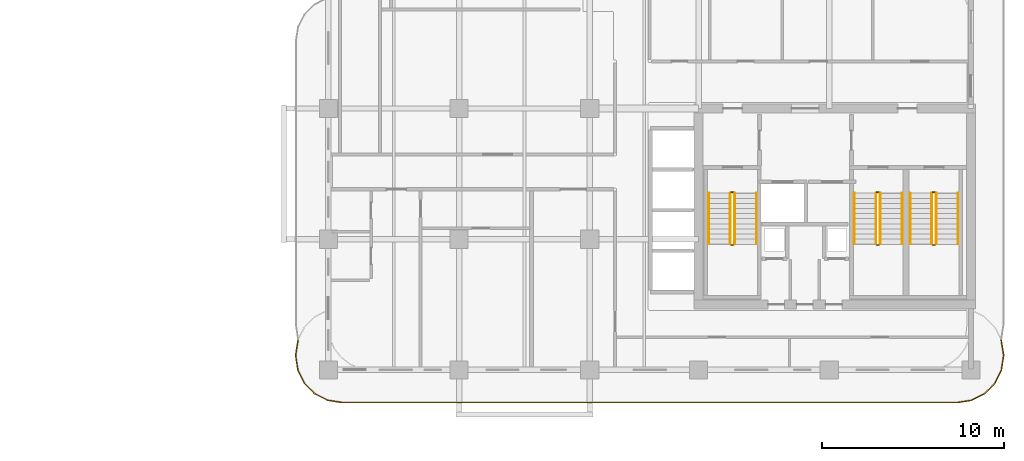
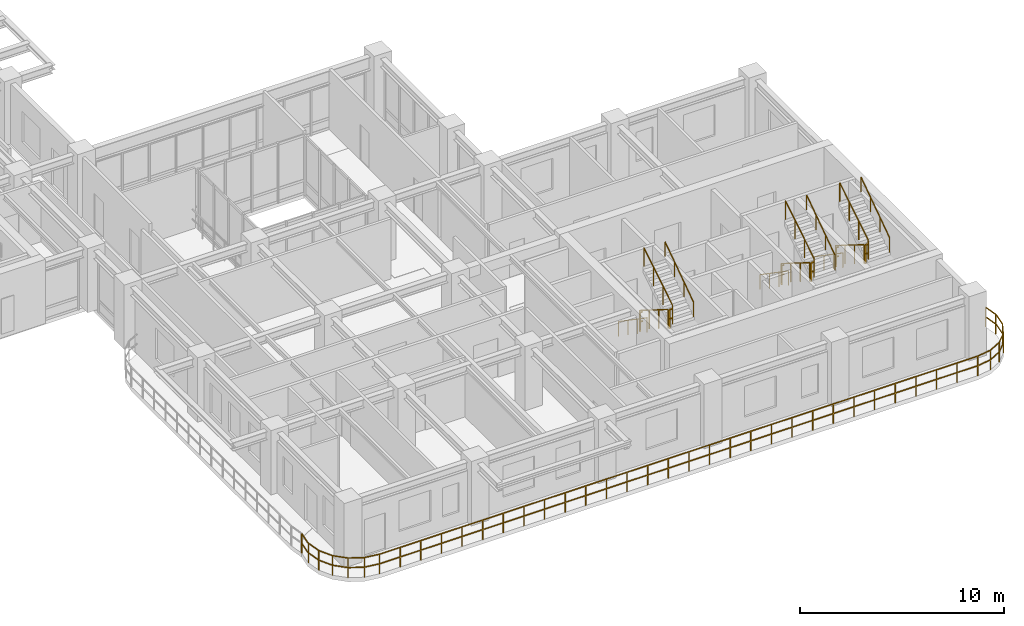
# One storey, part 17 of 19: 19 railings.
"""IFC4 building model written with IfcOpenShell, lengths in metres."""

from ifc_helpers import new_model, si_unit, derived_unit, direction, frame, origin, origin_2d, place, context, subcontext, project, spatial, rectangle, extrude, material, type_object, element, save


model = new_model("IFC4")

# Units and contexts
model_context = context("Model", 3, precision=1e-05, world=origin(), true_north=direction((0.0, 1.0)))
body_context = subcontext(model_context, "Body", "Model", "MODEL_VIEW")
ifc_project = project(units=[si_unit("LENGTHUNIT", "METRE"), si_unit("AREAUNIT", "SQUARE_METRE"), si_unit("VOLUMEUNIT", "CUBIC_METRE"), si_unit("PLANEANGLEUNIT", "RADIAN"), si_unit("MASSUNIT", "GRAM", prefix="KILO"), si_unit("THERMODYNAMICTEMPERATUREUNIT", "KELVIN"), si_unit("POWERUNIT", "WATT"), derived_unit("THERMALTRANSMITTANCEUNIT", [(si_unit("POWERUNIT", "WATT"), 1), (si_unit("AREAUNIT", "SQUARE_METRE"), -1), (si_unit("THERMODYNAMICTEMPERATUREUNIT", "KELVIN"), -1)])], contexts=[model_context])

# Site, building, storey
site_placement = place(None, origin())
site = spatial("IfcSite", under=ifc_project, at=site_placement, CompositionType="ELEMENT")
building_placement = place(site_placement, origin())
building = spatial("IfcBuilding", under=site, at=building_placement, Name="Zahravan Archway Hotel and Residences", CompositionType="ELEMENT")
storey_placement = place(building_placement, frame((0.0, 0.0, 158.0)))
storey = spatial("IfcBuildingStorey", under=building, at=storey_placement, Name="L39", CompositionType="ELEMENT", Elevation=158.0)

# Railings
ifc_material_1 = material(Name="Bronze & Laminated Glass Balustrade", Category="glass")
railing_type_1 = type_object("IfcRailingType", Name="RL-BAL-1200", PredefinedType="BALUSTRADE", material=ifc_material_1)
railing_1_placement = place(storey_placement, frame((51.47509765625, 1.637939453125, 0.0)))
element("IfcRailing", 1, at=railing_1_placement, inside=storey, type_object=railing_type_1, Name="L39 Balustrade RL-SLB-BAL-L39-SA-1", PredefinedType="BALUSTRADE", context=body_context, shape_type="SweptSolid", body=[
    extrude(rectangle(XDim=0.048095703125, YDim=0.048095703125, at=origin_2d()), frame((0.0, 0.0, 1.17578125), z_axis=(0.156701202656, -0.987646056584, 0.0), x_axis=(0.987646056584, 0.156701202656, 0.0)), (0.0, 0.0, 1.0), 0.797607421875),
    extrude(rectangle(XDim=0.048095703125, YDim=0.048095703125, at=origin_2d()), frame((0.0, 0.0, 0.60009765625), z_axis=(0.156701202656, -0.987646056584, 0.0), x_axis=(0.987646056584, 0.156701202656, 0.0)), (0.0, 0.0, 1.0), 0.797607421875),
    extrude(rectangle(XDim=0.048095703125, YDim=0.048095703125, at=origin_2d()), frame((0.125, -0.787841796875, 1.17578125), z_axis=(0.0, -1.0, 0.0), x_axis=(1.0, 0.0, 0.0)), (0.0, 0.0, 1.0), 0.10009765625),
    extrude(rectangle(XDim=0.048095703125, YDim=0.048095703125, at=origin_2d()), frame((0.125, -0.787841796875, 0.60009765625), z_axis=(0.0, -1.0, 0.0), x_axis=(1.0, 0.0, 0.0)), (0.0, 0.0, 1.0), 0.10009765625),
    extrude(rectangle(XDim=0.048095703125, YDim=0.048095703125, at=origin_2d()), frame((0.125, -0.887939453125, 1.17578125), z_axis=(-0.156653849773, -0.98765356849, 0.0), x_axis=(0.98765356849, -0.156653849773, 0.0)), (0.0, 0.0, 1.0), 0.7978515625),
    extrude(rectangle(XDim=0.048095703125, YDim=0.048095703125, at=origin_2d()), frame((0.125, -0.887939453125, 0.60009765625), z_axis=(-0.156653849773, -0.98765356849, 0.0), x_axis=(0.98765356849, -0.156653849773, 0.0)), (0.0, 0.0, 1.0), 0.7978515625),
    extrude(rectangle(XDim=0.048095703125, YDim=0.048095703125, at=origin_2d()), frame((0.0, -1.676025390625, 1.17578125), z_axis=(-0.453934952053, -0.891034824967, 0.0), x_axis=(0.891034824967, -0.453934952053, 0.0)), (0.0, 0.0, 1.0), 0.797607421875),
    extrude(rectangle(XDim=0.048095703125, YDim=0.048095703125, at=origin_2d()), frame((0.0, -1.676025390625, 0.60009765625), z_axis=(-0.453934952053, -0.891034824967, 0.0), x_axis=(0.891034824967, -0.453934952053, 0.0)), (0.0, 0.0, 1.0), 0.797607421875),
    extrude(rectangle(XDim=0.048095703125, YDim=0.048095703125, at=origin_2d()), frame((-0.362060546875, -2.38671875, 1.17578125), z_axis=(-0.707106781187, -0.707106781187, 0.0), x_axis=(0.707106781187, -0.707106781187, 0.0)), (0.0, 0.0, 1.0), 0.7978515625),
    extrude(rectangle(XDim=0.048095703125, YDim=0.048095703125, at=origin_2d()), frame((-0.362060546875, -2.38671875, 0.60009765625), z_axis=(-0.707106781187, -0.707106781187, 0.0), x_axis=(0.707106781187, -0.707106781187, 0.0)), (0.0, 0.0, 1.0), 0.7978515625),
    extrude(rectangle(XDim=0.048095703125, YDim=0.048095703125, at=origin_2d()), frame((-0.92626953125, -2.950927734375, 1.17578125), z_axis=(-0.890974108706, -0.454054113091, 0.0), x_axis=(0.454054113091, -0.890974108706, 0.0)), (0.0, 0.0, 1.0), 0.7978515625),
    extrude(rectangle(XDim=0.048095703125, YDim=0.048095703125, at=origin_2d()), frame((-0.92626953125, -2.950927734375, 0.60009765625), z_axis=(-0.890974108706, -0.454054113091, 0.0), x_axis=(0.454054113091, -0.890974108706, 0.0)), (0.0, 0.0, 1.0), 0.7978515625),
    extrude(rectangle(XDim=0.048095703125, YDim=0.048095703125, at=origin_2d()), frame((-1.63720703125, -3.313232421875, 1.17578125), z_axis=(-0.987693380745, -0.156402639467, 0.0), x_axis=(0.156402639467, -0.987693380745, 0.0)), (0.0, 0.0, 1.0), 0.797607421875),
    extrude(rectangle(XDim=0.048095703125, YDim=0.048095703125, at=origin_2d()), frame((-1.63720703125, -3.313232421875, 0.60009765625), z_axis=(-0.987693380745, -0.156402639467, 0.0), x_axis=(0.156402639467, -0.987693380745, 0.0)), (0.0, 0.0, 1.0), 0.797607421875),
    extrude(rectangle(XDim=0.048095703125, YDim=0.048095703125, at=origin_2d()), frame((-2.425048828125, -3.43798828125, 1.17578125), z_axis=(-1.0, 0.0, 0.0), x_axis=(0.0, -1.0, 0.0)), (0.0, 0.0, 1.0), 33.900146484375),
    extrude(rectangle(XDim=0.048095703125, YDim=0.048095703125, at=origin_2d()), frame((-2.425048828125, -3.43798828125, 0.60009765625), z_axis=(-1.0, 0.0, 0.0), x_axis=(0.0, -1.0, 0.0)), (0.0, 0.0, 1.0), 33.900146484375),
    extrude(rectangle(XDim=0.048095703125, YDim=0.048095703125, at=origin_2d()), frame((-36.3251953125, -3.43798828125, 1.17578125), z_axis=(-0.987693380745, 0.156402639467, 0.0), x_axis=(-0.156402639467, -0.987693380745, 0.0)), (0.0, 0.0, 1.0), 0.797607421875),
    extrude(rectangle(XDim=0.048095703125, YDim=0.048095703125, at=origin_2d()), frame((-36.3251953125, -3.43798828125, 0.60009765625), z_axis=(-0.987693380745, 0.156402639467, 0.0), x_axis=(-0.156402639467, -0.987693380745, 0.0)), (0.0, 0.0, 1.0), 0.797607421875),
    extrude(rectangle(XDim=0.048095703125, YDim=0.048095703125, at=origin_2d()), frame((-37.113037109375, -3.313232421875, 1.17578125), z_axis=(-0.890974108706, 0.454054113091, 0.0), x_axis=(-0.454054113091, -0.890974108706, 0.0)), (0.0, 0.0, 1.0), 0.7978515625),
    extrude(rectangle(XDim=0.048095703125, YDim=0.048095703125, at=origin_2d()), frame((-37.113037109375, -3.313232421875, 0.60009765625), z_axis=(-0.890974108706, 0.454054113091, 0.0), x_axis=(-0.454054113091, -0.890974108706, 0.0)), (0.0, 0.0, 1.0), 0.7978515625),
    extrude(rectangle(XDim=0.048095703125, YDim=0.048095703125, at=origin_2d()), frame((-37.823974609375, -2.950927734375, 1.17578125), z_axis=(-0.707106781187, 0.707106781187, 0.0), x_axis=(-0.707106781187, -0.707106781187, 0.0)), (0.0, 0.0, 1.0), 0.7978515625),
    extrude(rectangle(XDim=0.048095703125, YDim=0.048095703125, at=origin_2d()), frame((-37.823974609375, -2.950927734375, 0.60009765625), z_axis=(-0.707106781187, 0.707106781187, 0.0), x_axis=(-0.707106781187, -0.707106781187, 0.0)), (0.0, 0.0, 1.0), 0.7978515625),
    extrude(rectangle(XDim=0.048095703125, YDim=0.048095703125, at=origin_2d()), frame((-38.38818359375, -2.38671875, 1.17578125), z_axis=(-0.453934952053, 0.891034824967, 0.0), x_axis=(-0.891034824967, -0.453934952053, 0.0)), (0.0, 0.0, 1.0), 0.797607421875),
    extrude(rectangle(XDim=0.048095703125, YDim=0.048095703125, at=origin_2d()), frame((-38.38818359375, -2.38671875, 0.60009765625), z_axis=(-0.453934952053, 0.891034824967, 0.0), x_axis=(-0.891034824967, -0.453934952053, 0.0)), (0.0, 0.0, 1.0), 0.797607421875),
    extrude(rectangle(XDim=0.048095703125, YDim=0.048095703125, at=origin_2d()), frame((-38.750244140625, -1.676025390625, 1.17578125), z_axis=(-0.156355372278, 0.987700864412, 0.0), x_axis=(-0.987700864412, -0.156355372278, 0.0)), (0.0, 0.0, 1.0), 0.7978515625),
    extrude(rectangle(XDim=0.048095703125, YDim=0.048095703125, at=origin_2d()), frame((-38.750244140625, -1.676025390625, 0.60009765625), z_axis=(-0.156355372278, 0.987700864412, 0.0), x_axis=(-0.987700864412, -0.156355372278, 0.0)), (0.0, 0.0, 1.0), 0.7978515625),
    extrude(rectangle(XDim=0.048095703125, YDim=0.048095703125, at=origin_2d()), frame((-38.875, -0.887939453125, 1.17578125), z_axis=(0.0, 1.0, 0.0), x_axis=(-1.0, 0.0, 0.0)), (0.0, 0.0, 1.0), 0.10009765625),
    extrude(rectangle(XDim=0.048095703125, YDim=0.048095703125, at=origin_2d()), frame((-38.875, -0.887939453125, 0.60009765625), z_axis=(0.0, 1.0, 0.0), x_axis=(-1.0, 0.0, 0.0)), (0.0, 0.0, 1.0), 0.10009765625),
    extrude(rectangle(XDim=0.048095703125, YDim=0.048095703125, at=origin_2d()), frame((-38.875, -0.787841796875, 1.17578125), z_axis=(0.156402639467, 0.987693380745, 0.0), x_axis=(-0.987693380745, 0.156402639467, 0.0)), (0.0, 0.0, 1.0), 0.797607421875),
    extrude(rectangle(XDim=0.048095703125, YDim=0.048095703125, at=origin_2d()), frame((-38.875, -0.787841796875, 0.60009765625), z_axis=(0.156402639467, 0.987693380745, 0.0), x_axis=(-0.987693380745, 0.156402639467, 0.0)), (0.0, 0.0, 1.0), 0.797607421875),
    extrude(rectangle(XDim=0.0419921875, YDim=0.0419921875, at=origin_2d()), origin(), (0.0, 0.0, 1.0), 1.15185546875),
    extrude(rectangle(XDim=0.0419921875, YDim=0.0419921875, at=origin_2d()), frame((0.125, -0.787841796875, 0.0)), (0.0, 0.0, 1.0), 1.15185546875),
    extrude(rectangle(XDim=0.0419921875, YDim=0.0419921875, at=origin_2d()), frame((0.0, -1.676025390625, 0.0)), (0.0, 0.0, 1.0), 1.15185546875),
    extrude(rectangle(XDim=0.0419921875, YDim=0.0419921875, at=origin_2d()), frame((-0.362060546875, -2.38671875, 0.0)), (0.0, 0.0, 1.0), 1.15185546875),
    extrude(rectangle(XDim=0.0419921875, YDim=0.0419921875, at=origin_2d()), frame((-0.92626953125, -2.950927734375, 0.0)), (0.0, 0.0, 1.0), 1.15185546875),
    extrude(rectangle(XDim=0.0419921875, YDim=0.0419921875, at=origin_2d()), frame((-1.63720703125, -3.313232421875, 0.0)), (0.0, 0.0, 1.0), 1.15185546875),
    extrude(rectangle(XDim=0.0419921875, YDim=0.0419921875, at=origin_2d()), frame((-2.425048828125, -3.43798828125, 0.0)), (0.0, 0.0, 1.0), 1.15185546875),
    extrude(rectangle(XDim=0.0419921875, YDim=0.0419921875, at=origin_2d()), frame((-3.593994140625, -3.43798828125, 0.0)), (0.0, 0.0, 1.0), 1.15185546875),
    extrude(rectangle(XDim=0.0419921875, YDim=0.0419921875, at=origin_2d()), frame((-4.762939453125, -3.43798828125, 0.0)), (0.0, 0.0, 1.0), 1.15185546875),
    extrude(rectangle(XDim=0.0419921875, YDim=0.0419921875, at=origin_2d()), frame((-5.931884765625, -3.43798828125, 0.0)), (0.0, 0.0, 1.0), 1.15185546875),
    extrude(rectangle(XDim=0.0419921875, YDim=0.0419921875, at=origin_2d()), frame((-7.100830078125, -3.43798828125, 0.0)), (0.0, 0.0, 1.0), 1.15185546875),
    extrude(rectangle(XDim=0.0419921875, YDim=0.0419921875, at=origin_2d()), frame((-8.27001953125, -3.43798828125, 0.0)), (0.0, 0.0, 1.0), 1.15185546875),
    extrude(rectangle(XDim=0.0419921875, YDim=0.0419921875, at=origin_2d()), frame((-9.43896484375, -3.43798828125, 0.0)), (0.0, 0.0, 1.0), 1.15185546875),
    extrude(rectangle(XDim=0.0419921875, YDim=0.0419921875, at=origin_2d()), frame((-10.60791015625, -3.43798828125, 0.0)), (0.0, 0.0, 1.0), 1.15185546875),
    extrude(rectangle(XDim=0.0419921875, YDim=0.0419921875, at=origin_2d()), frame((-11.77685546875, -3.43798828125, 0.0)), (0.0, 0.0, 1.0), 1.15185546875),
    extrude(rectangle(XDim=0.0419921875, YDim=0.0419921875, at=origin_2d()), frame((-12.94580078125, -3.43798828125, 0.0)), (0.0, 0.0, 1.0), 1.15185546875),
    extrude(rectangle(XDim=0.0419921875, YDim=0.0419921875, at=origin_2d()), frame((-14.11474609375, -3.43798828125, 0.0)), (0.0, 0.0, 1.0), 1.15185546875),
    extrude(rectangle(XDim=0.0419921875, YDim=0.0419921875, at=origin_2d()), frame((-15.28369140625, -3.43798828125, 0.0)), (0.0, 0.0, 1.0), 1.15185546875),
    extrude(rectangle(XDim=0.0419921875, YDim=0.0419921875, at=origin_2d()), frame((-16.45263671875, -3.43798828125, 0.0)), (0.0, 0.0, 1.0), 1.15185546875),
    extrude(rectangle(XDim=0.0419921875, YDim=0.0419921875, at=origin_2d()), frame((-17.62158203125, -3.43798828125, 0.0)), (0.0, 0.0, 1.0), 1.15185546875),
    extrude(rectangle(XDim=0.0419921875, YDim=0.0419921875, at=origin_2d()), frame((-18.79052734375, -3.43798828125, 0.0)), (0.0, 0.0, 1.0), 1.15185546875),
    extrude(rectangle(XDim=0.0419921875, YDim=0.0419921875, at=origin_2d()), frame((-19.959716796875, -3.43798828125, 0.0)), (0.0, 0.0, 1.0), 1.15185546875),
    extrude(rectangle(XDim=0.0419921875, YDim=0.0419921875, at=origin_2d()), frame((-21.128662109375, -3.43798828125, 0.0)), (0.0, 0.0, 1.0), 1.15185546875),
    extrude(rectangle(XDim=0.0419921875, YDim=0.0419921875, at=origin_2d()), frame((-22.297607421875, -3.43798828125, 0.0)), (0.0, 0.0, 1.0), 1.15185546875),
    extrude(rectangle(XDim=0.0419921875, YDim=0.0419921875, at=origin_2d()), frame((-23.466552734375, -3.43798828125, 0.0)), (0.0, 0.0, 1.0), 1.15185546875),
    extrude(rectangle(XDim=0.0419921875, YDim=0.0419921875, at=origin_2d()), frame((-24.635498046875, -3.43798828125, 0.0)), (0.0, 0.0, 1.0), 1.15185546875),
    extrude(rectangle(XDim=0.0419921875, YDim=0.0419921875, at=origin_2d()), frame((-25.804443359375, -3.43798828125, 0.0)), (0.0, 0.0, 1.0), 1.15185546875),
    extrude(rectangle(XDim=0.0419921875, YDim=0.0419921875, at=origin_2d()), frame((-26.973388671875, -3.43798828125, 0.0)), (0.0, 0.0, 1.0), 1.15185546875),
    extrude(rectangle(XDim=0.0419921875, YDim=0.0419921875, at=origin_2d()), frame((-28.142333984375, -3.43798828125, 0.0)), (0.0, 0.0, 1.0), 1.15185546875),
    extrude(rectangle(XDim=0.0419921875, YDim=0.0419921875, at=origin_2d()), frame((-29.311279296875, -3.43798828125, 0.0)), (0.0, 0.0, 1.0), 1.15185546875),
    extrude(rectangle(XDim=0.0419921875, YDim=0.0419921875, at=origin_2d()), frame((-30.480224609375, -3.43798828125, 0.0)), (0.0, 0.0, 1.0), 1.15185546875),
    extrude(rectangle(XDim=0.0419921875, YDim=0.0419921875, at=origin_2d()), frame((-31.6494140625, -3.43798828125, 0.0)), (0.0, 0.0, 1.0), 1.15185546875),
    extrude(rectangle(XDim=0.0419921875, YDim=0.0419921875, at=origin_2d()), frame((-32.818359375, -3.43798828125, 0.0)), (0.0, 0.0, 1.0), 1.15185546875),
    extrude(rectangle(XDim=0.0419921875, YDim=0.0419921875, at=origin_2d()), frame((-33.9873046875, -3.43798828125, 0.0)), (0.0, 0.0, 1.0), 1.15185546875),
    extrude(rectangle(XDim=0.0419921875, YDim=0.0419921875, at=origin_2d()), frame((-35.15625, -3.43798828125, 0.0)), (0.0, 0.0, 1.0), 1.15185546875),
    extrude(rectangle(XDim=0.0419921875, YDim=0.0419921875, at=origin_2d()), frame((-36.3251953125, -3.43798828125, 0.0)), (0.0, 0.0, 1.0), 1.15185546875),
    extrude(rectangle(XDim=0.0419921875, YDim=0.0419921875, at=origin_2d()), frame((-37.113037109375, -3.313232421875, 0.0)), (0.0, 0.0, 1.0), 1.15185546875),
    extrude(rectangle(XDim=0.0419921875, YDim=0.0419921875, at=origin_2d()), frame((-37.823974609375, -2.950927734375, 0.0)), (0.0, 0.0, 1.0), 1.15185546875),
    extrude(rectangle(XDim=0.0419921875, YDim=0.0419921875, at=origin_2d()), frame((-38.38818359375, -2.38671875, 0.0)), (0.0, 0.0, 1.0), 1.15185546875),
    extrude(rectangle(XDim=0.0419921875, YDim=0.0419921875, at=origin_2d()), frame((-38.750244140625, -1.676025390625, 0.0)), (0.0, 0.0, 1.0), 1.15185546875),
    extrude(rectangle(XDim=0.0419921875, YDim=0.0419921875, at=origin_2d()), frame((-38.875, -0.887939453125, 0.0)), (0.0, 0.0, 1.0), 1.15185546875),
    extrude(rectangle(XDim=0.0419921875, YDim=0.0419921875, at=origin_2d()), frame((-38.750244140625, 0.0, 0.0)), (0.0, 0.0, 1.0), 1.15185546875),
])
ifc_material_2 = material(Name="Painted Tubular Steel", Category="steel")
railing_type_2 = type_object("IfcRailingType", Name="RL-STG-1150", PredefinedType="GUARDRAIL", material=ifc_material_2)
railing_2_placement = place(storey_placement, frame((36.550048828125, 9.72998046875, 0.175048828125)))
element("IfcRailing", 2, at=railing_2_placement, inside=storey, type_object=railing_type_2, Name="L39 ST-A1 stair guard 1", PredefinedType="GUARDRAIL", context=body_context, shape_type="SweptSolid", body=[
    extrude(rectangle(XDim=0.048095703125, YDim=0.048095703125, at=origin_2d()), frame((0.0, 0.0, 1.1259765625), z_axis=(0.0, -0.848002457836, 0.529992293815), x_axis=(1.0, 0.0, 0.0)), (0.0, 0.0, 1.0), 3.302001953125),
    extrude(rectangle(XDim=0.0419921875, YDim=0.0419921875, at=origin_2d()), origin(), (0.0, 0.0, 1.0), 1.101806640625),
    extrude(rectangle(XDim=0.0419921875, YDim=0.0419921875, at=origin_2d()), frame((0.0, -0.933349609375, 0.583251953125)), (0.0, 0.0, 1.0), 1.101806640625),
    extrude(rectangle(XDim=0.0419921875, YDim=0.0419921875, at=origin_2d()), frame((0.0, -1.86669921875, 1.166748046875)), (0.0, 0.0, 1.0), 1.101806640625),
    extrude(rectangle(XDim=0.0419921875, YDim=0.0419921875, at=origin_2d()), frame((0.0, -2.800048828125, 1.75)), (0.0, 0.0, 1.0), 1.101806640625),
])
railing_3_placement = place(storey_placement, frame((36.60009765625, 6.8798828125, 1.925048828125)))
element("IfcRailing", 3, at=railing_3_placement, inside=storey, type_object=railing_type_2, Name="L39 ST-A1 stair guard 2", PredefinedType="GUARDRAIL", context=body_context, shape_type="SweptSolid", body=[
    extrude(rectangle(XDim=0.048095703125, YDim=0.048095703125, at=origin_2d()), frame((0.0, 0.0, 1.1259765625), z_axis=(1.0, 0.0, 0.0), x_axis=(0.0, 1.0, 0.0)), (0.0, 0.0, 1.0), 0.139892578125),
    extrude(rectangle(XDim=0.048095703125, YDim=0.048095703125, at=origin_2d()), frame((0.0, 0.0, 0.574951171875), z_axis=(1.0, 0.0, 0.0), x_axis=(0.0, 1.0, 0.0)), (0.0, 0.0, 1.0), 0.139892578125),
    extrude(rectangle(XDim=0.0419921875, YDim=0.0419921875, at=origin_2d()), origin(), (0.0, 0.0, 1.0), 1.101806640625),
])
railing_4_placement = place(storey_placement, frame((36.7900390625, 6.929931640625, 2.10009765625)))
element("IfcRailing", 4, at=railing_4_placement, inside=storey, type_object=railing_type_2, Name="L39 ST-A1 stair guard 3", PredefinedType="GUARDRAIL", context=body_context, shape_type="SweptSolid", body=[
    extrude(rectangle(XDim=0.048095703125, YDim=0.048095703125, at=origin_2d()), frame((0.0, 0.0, 1.1259765625), z_axis=(0.0, 0.848002457836, 0.529992293815), x_axis=(-1.0, 0.0, 0.0)), (0.0, 0.0, 1.0), 3.302001953125),
    extrude(rectangle(XDim=0.0419921875, YDim=0.0419921875, at=origin_2d()), origin(), (0.0, 0.0, 1.0), 1.101806640625),
    extrude(rectangle(XDim=0.0419921875, YDim=0.0419921875, at=origin_2d()), frame((0.0, 0.933349609375, 0.583251953125)), (0.0, 0.0, 1.0), 1.101806640625),
    extrude(rectangle(XDim=0.0419921875, YDim=0.0419921875, at=origin_2d()), frame((0.0, 1.86669921875, 1.166748046875)), (0.0, 0.0, 1.0), 1.101806640625),
    extrude(rectangle(XDim=0.0419921875, YDim=0.0419921875, at=origin_2d()), frame((0.0, 2.800048828125, 1.75)), (0.0, 0.0, 1.0), 1.101806640625),
])
railing_5_placement = place(storey_placement, frame((36.60009765625, 9.780029296875, 0.0)))
element("IfcRailing", 5, at=railing_5_placement, inside=storey, type_object=railing_type_2, Name="L39 ST-A1 stair guard 4", PredefinedType="GUARDRAIL", context=body_context, shape_type="SweptSolid", body=[
    extrude(rectangle(XDim=0.048095703125, YDim=0.048095703125, at=origin_2d()), frame((0.0, 0.0, 1.1259765625), z_axis=(1.0, 0.0, 0.0), x_axis=(0.0, 1.0, 0.0)), (0.0, 0.0, 1.0), 0.139892578125),
    extrude(rectangle(XDim=0.048095703125, YDim=0.048095703125, at=origin_2d()), frame((0.0, 0.0, 0.574951171875), z_axis=(1.0, 0.0, 0.0), x_axis=(0.0, 1.0, 0.0)), (0.0, 0.0, 1.0), 0.139892578125),
    extrude(rectangle(XDim=0.0419921875, YDim=0.0419921875, at=origin_2d()), origin(), (0.0, 0.0, 1.0), 1.101806640625),
])
railing_6_placement = place(storey_placement, frame((44.570068359375, 9.72998046875, 0.175048828125)))
element("IfcRailing", 6, at=railing_6_placement, inside=storey, type_object=railing_type_2, Name="L39 ST-A2 stair guard 1", PredefinedType="GUARDRAIL", context=body_context, shape_type="SweptSolid", body=[
    extrude(rectangle(XDim=0.048095703125, YDim=0.048095703125, at=origin_2d()), frame((0.0, 0.0, 1.1259765625), z_axis=(0.0, -0.848002457836, 0.529992293815), x_axis=(1.0, 0.0, 0.0)), (0.0, 0.0, 1.0), 3.302001953125),
    extrude(rectangle(XDim=0.0419921875, YDim=0.0419921875, at=origin_2d()), origin(), (0.0, 0.0, 1.0), 1.101806640625),
    extrude(rectangle(XDim=0.0419921875, YDim=0.0419921875, at=origin_2d()), frame((0.0, -0.933349609375, 0.583251953125)), (0.0, 0.0, 1.0), 1.101806640625),
    extrude(rectangle(XDim=0.0419921875, YDim=0.0419921875, at=origin_2d()), frame((0.0, -1.86669921875, 1.166748046875)), (0.0, 0.0, 1.0), 1.101806640625),
    extrude(rectangle(XDim=0.0419921875, YDim=0.0419921875, at=origin_2d()), frame((0.0, -2.800048828125, 1.75)), (0.0, 0.0, 1.0), 1.101806640625),
])
railing_7_placement = place(storey_placement, frame((44.6201171875, 6.8798828125, 1.925048828125)))
element("IfcRailing", 7, at=railing_7_placement, inside=storey, type_object=railing_type_2, Name="L39 ST-A2 stair guard 2", PredefinedType="GUARDRAIL", context=body_context, shape_type="SweptSolid", body=[
    extrude(rectangle(XDim=0.048095703125, YDim=0.048095703125, at=origin_2d()), frame((0.0, 0.0, 1.1259765625), z_axis=(1.0, 0.0, 0.0), x_axis=(0.0, 1.0, 0.0)), (0.0, 0.0, 1.0), 0.139892578125),
    extrude(rectangle(XDim=0.048095703125, YDim=0.048095703125, at=origin_2d()), frame((0.0, 0.0, 0.574951171875), z_axis=(1.0, 0.0, 0.0), x_axis=(0.0, 1.0, 0.0)), (0.0, 0.0, 1.0), 0.139892578125),
    extrude(rectangle(XDim=0.0419921875, YDim=0.0419921875, at=origin_2d()), origin(), (0.0, 0.0, 1.0), 1.101806640625),
])
railing_8_placement = place(storey_placement, frame((44.81005859375, 6.929931640625, 2.10009765625)))
element("IfcRailing", 8, at=railing_8_placement, inside=storey, type_object=railing_type_2, Name="L39 ST-A2 stair guard 3", PredefinedType="GUARDRAIL", context=body_context, shape_type="SweptSolid", body=[
    extrude(rectangle(XDim=0.048095703125, YDim=0.048095703125, at=origin_2d()), frame((0.0, 0.0, 1.1259765625), z_axis=(0.0, 0.848002457836, 0.529992293815), x_axis=(-1.0, 0.0, 0.0)), (0.0, 0.0, 1.0), 3.302001953125),
    extrude(rectangle(XDim=0.0419921875, YDim=0.0419921875, at=origin_2d()), origin(), (0.0, 0.0, 1.0), 1.101806640625),
    extrude(rectangle(XDim=0.0419921875, YDim=0.0419921875, at=origin_2d()), frame((0.0, 0.933349609375, 0.583251953125)), (0.0, 0.0, 1.0), 1.101806640625),
    extrude(rectangle(XDim=0.0419921875, YDim=0.0419921875, at=origin_2d()), frame((0.0, 1.86669921875, 1.166748046875)), (0.0, 0.0, 1.0), 1.101806640625),
    extrude(rectangle(XDim=0.0419921875, YDim=0.0419921875, at=origin_2d()), frame((0.0, 2.800048828125, 1.75)), (0.0, 0.0, 1.0), 1.101806640625),
])
railing_9_placement = place(storey_placement, frame((44.6201171875, 9.780029296875, 0.0)))
element("IfcRailing", 9, at=railing_9_placement, inside=storey, type_object=railing_type_2, Name="L39 ST-A2 stair guard 4", PredefinedType="GUARDRAIL", context=body_context, shape_type="SweptSolid", body=[
    extrude(rectangle(XDim=0.048095703125, YDim=0.048095703125, at=origin_2d()), frame((0.0, 0.0, 1.1259765625), z_axis=(1.0, 0.0, 0.0), x_axis=(0.0, 1.0, 0.0)), (0.0, 0.0, 1.0), 0.139892578125),
    extrude(rectangle(XDim=0.048095703125, YDim=0.048095703125, at=origin_2d()), frame((0.0, 0.0, 0.574951171875), z_axis=(1.0, 0.0, 0.0), x_axis=(0.0, 1.0, 0.0)), (0.0, 0.0, 1.0), 0.139892578125),
    extrude(rectangle(XDim=0.0419921875, YDim=0.0419921875, at=origin_2d()), origin(), (0.0, 0.0, 1.0), 1.101806640625),
])
railing_10_placement = place(storey_placement, frame((47.64990234375, 9.72998046875, 0.175048828125)))
element("IfcRailing", 10, at=railing_10_placement, inside=storey, type_object=railing_type_2, Name="L39 ST-A3 stair guard 1", PredefinedType="GUARDRAIL", context=body_context, shape_type="SweptSolid", body=[
    extrude(rectangle(XDim=0.048095703125, YDim=0.048095703125, at=origin_2d()), frame((0.0, 0.0, 1.1259765625), z_axis=(0.0, -0.848002457836, 0.529992293815), x_axis=(1.0, 0.0, 0.0)), (0.0, 0.0, 1.0), 3.302001953125),
    extrude(rectangle(XDim=0.0419921875, YDim=0.0419921875, at=origin_2d()), origin(), (0.0, 0.0, 1.0), 1.101806640625),
    extrude(rectangle(XDim=0.0419921875, YDim=0.0419921875, at=origin_2d()), frame((0.0, -0.933349609375, 0.583251953125)), (0.0, 0.0, 1.0), 1.101806640625),
    extrude(rectangle(XDim=0.0419921875, YDim=0.0419921875, at=origin_2d()), frame((0.0, -1.86669921875, 1.166748046875)), (0.0, 0.0, 1.0), 1.101806640625),
    extrude(rectangle(XDim=0.0419921875, YDim=0.0419921875, at=origin_2d()), frame((0.0, -2.800048828125, 1.75)), (0.0, 0.0, 1.0), 1.101806640625),
])
railing_11_placement = place(storey_placement, frame((47.699951171875, 6.8798828125, 1.925048828125)))
element("IfcRailing", 11, at=railing_11_placement, inside=storey, type_object=railing_type_2, Name="L39 ST-A3 stair guard 2", PredefinedType="GUARDRAIL", context=body_context, shape_type="SweptSolid", body=[
    extrude(rectangle(XDim=0.048095703125, YDim=0.048095703125, at=origin_2d()), frame((0.0, 0.0, 1.1259765625), z_axis=(1.0, 0.0, 0.0), x_axis=(0.0, 1.0, 0.0)), (0.0, 0.0, 1.0), 0.14013671875),
    extrude(rectangle(XDim=0.048095703125, YDim=0.048095703125, at=origin_2d()), frame((0.0, 0.0, 0.574951171875), z_axis=(1.0, 0.0, 0.0), x_axis=(0.0, 1.0, 0.0)), (0.0, 0.0, 1.0), 0.14013671875),
    extrude(rectangle(XDim=0.0419921875, YDim=0.0419921875, at=origin_2d()), origin(), (0.0, 0.0, 1.0), 1.101806640625),
])
railing_12_placement = place(storey_placement, frame((47.889892578125, 6.929931640625, 2.10009765625)))
element("IfcRailing", 12, at=railing_12_placement, inside=storey, type_object=railing_type_2, Name="L39 ST-A3 stair guard 3", PredefinedType="GUARDRAIL", context=body_context, shape_type="SweptSolid", body=[
    extrude(rectangle(XDim=0.048095703125, YDim=0.048095703125, at=origin_2d()), frame((0.0, 0.0, 1.1259765625), z_axis=(0.0, 0.848002457836, 0.529992293815), x_axis=(-1.0, 0.0, 0.0)), (0.0, 0.0, 1.0), 3.302001953125),
    extrude(rectangle(XDim=0.0419921875, YDim=0.0419921875, at=origin_2d()), origin(), (0.0, 0.0, 1.0), 1.101806640625),
    extrude(rectangle(XDim=0.0419921875, YDim=0.0419921875, at=origin_2d()), frame((0.0, 0.933349609375, 0.583251953125)), (0.0, 0.0, 1.0), 1.101806640625),
    extrude(rectangle(XDim=0.0419921875, YDim=0.0419921875, at=origin_2d()), frame((0.0, 1.86669921875, 1.166748046875)), (0.0, 0.0, 1.0), 1.101806640625),
    extrude(rectangle(XDim=0.0419921875, YDim=0.0419921875, at=origin_2d()), frame((0.0, 2.800048828125, 1.75)), (0.0, 0.0, 1.0), 1.101806640625),
])
railing_13_placement = place(storey_placement, frame((47.699951171875, 9.780029296875, 0.0)))
element("IfcRailing", 13, at=railing_13_placement, inside=storey, type_object=railing_type_2, Name="L39 ST-A3 stair guard 4", PredefinedType="GUARDRAIL", context=body_context, shape_type="SweptSolid", body=[
    extrude(rectangle(XDim=0.048095703125, YDim=0.048095703125, at=origin_2d()), frame((0.0, 0.0, 1.1259765625), z_axis=(1.0, 0.0, 0.0), x_axis=(0.0, 1.0, 0.0)), (0.0, 0.0, 1.0), 0.14013671875),
    extrude(rectangle(XDim=0.048095703125, YDim=0.048095703125, at=origin_2d()), frame((0.0, 0.0, 0.574951171875), z_axis=(1.0, 0.0, 0.0), x_axis=(0.0, 1.0, 0.0)), (0.0, 0.0, 1.0), 0.14013671875),
    extrude(rectangle(XDim=0.0419921875, YDim=0.0419921875, at=origin_2d()), origin(), (0.0, 0.0, 1.0), 1.101806640625),
])
ifc_material_3 = material(Name="Brushed Stainless Steel", Category="steel")
railing_type_3 = type_object("IfcRailingType", Name="RL-STH-900", PredefinedType="HANDRAIL", material=ifc_material_3)
railing_14_placement = place(storey_placement, frame((35.35009765625, 9.72998046875, 0.175048828125)))
element("IfcRailing", 14, at=railing_14_placement, inside=storey, type_object=railing_type_3, Name="L39 ST-A1 stair handrail 1", PredefinedType="HANDRAIL", context=body_context, shape_type="SweptSolid", body=[
    extrude(rectangle(XDim=0.048095703125, YDim=0.048095703125, at=origin_2d()), frame((0.0, 0.0, 0.8759765625), z_axis=(0.0, -0.824039827795, 0.566531872191), x_axis=(1.0, 0.0, 0.0)), (0.0, 0.0, 1.0), 3.39794921875),
    extrude(rectangle(XDim=0.0419921875, YDim=0.0419921875, at=origin_2d()), origin(), (0.0, 0.0, 1.0), 0.851806640625),
    extrude(rectangle(XDim=0.0419921875, YDim=0.0419921875, at=origin_2d()), frame((0.0, -0.933349609375, 0.6416015625)), (0.0, 0.0, 1.0), 0.851806640625),
    extrude(rectangle(XDim=0.0419921875, YDim=0.0419921875, at=origin_2d()), frame((0.0, -1.86669921875, 1.283447265625)), (0.0, 0.0, 1.0), 0.851806640625),
    extrude(rectangle(XDim=0.0419921875, YDim=0.0419921875, at=origin_2d()), frame((0.0, -2.800048828125, 1.925048828125)), (0.0, 0.0, 1.0), 0.851806640625),
])
railing_15_placement = place(storey_placement, frame((37.989990234375, 6.929931640625, 2.10009765625)))
element("IfcRailing", 15, at=railing_15_placement, inside=storey, type_object=railing_type_3, Name="L39 ST-A1 stair handrail 2", PredefinedType="HANDRAIL", context=body_context, shape_type="SweptSolid", body=[
    extrude(rectangle(XDim=0.048095703125, YDim=0.048095703125, at=origin_2d()), frame((0.0, 0.0, 0.8759765625), z_axis=(0.0, 0.824073370198, 0.566483080534), x_axis=(-1.0, 0.0, 0.0)), (0.0, 0.0, 1.0), 3.397705078125),
    extrude(rectangle(XDim=0.0419921875, YDim=0.0419921875, at=origin_2d()), origin(), (0.0, 0.0, 1.0), 0.851806640625),
    extrude(rectangle(XDim=0.0419921875, YDim=0.0419921875, at=origin_2d()), frame((0.0, 0.933349609375, 0.6416015625)), (0.0, 0.0, 1.0), 0.851806640625),
    extrude(rectangle(XDim=0.0419921875, YDim=0.0419921875, at=origin_2d()), frame((0.0, 1.86669921875, 1.283203125)), (0.0, 0.0, 1.0), 0.851806640625),
    extrude(rectangle(XDim=0.0419921875, YDim=0.0419921875, at=origin_2d()), frame((0.0, 2.800048828125, 1.9248046875)), (0.0, 0.0, 1.0), 0.851806640625),
])
railing_16_placement = place(storey_placement, frame((43.3701171875, 9.72998046875, 0.175048828125)))
element("IfcRailing", 16, at=railing_16_placement, inside=storey, type_object=railing_type_3, Name="L39 ST-A2 stair handrail 1", PredefinedType="HANDRAIL", context=body_context, shape_type="SweptSolid", body=[
    extrude(rectangle(XDim=0.048095703125, YDim=0.048095703125, at=origin_2d()), frame((0.0, 0.0, 0.8759765625), z_axis=(0.0, -0.824039827795, 0.566531872191), x_axis=(1.0, 0.0, 0.0)), (0.0, 0.0, 1.0), 3.39794921875),
    extrude(rectangle(XDim=0.0419921875, YDim=0.0419921875, at=origin_2d()), origin(), (0.0, 0.0, 1.0), 0.851806640625),
    extrude(rectangle(XDim=0.0419921875, YDim=0.0419921875, at=origin_2d()), frame((0.0, -0.933349609375, 0.6416015625)), (0.0, 0.0, 1.0), 0.851806640625),
    extrude(rectangle(XDim=0.0419921875, YDim=0.0419921875, at=origin_2d()), frame((0.0, -1.86669921875, 1.283447265625)), (0.0, 0.0, 1.0), 0.851806640625),
    extrude(rectangle(XDim=0.0419921875, YDim=0.0419921875, at=origin_2d()), frame((0.0, -2.800048828125, 1.925048828125)), (0.0, 0.0, 1.0), 0.851806640625),
])
railing_17_placement = place(storey_placement, frame((46.010009765625, 6.929931640625, 2.10009765625)))
element("IfcRailing", 17, at=railing_17_placement, inside=storey, type_object=railing_type_3, Name="L39 ST-A2 stair handrail 2", PredefinedType="HANDRAIL", context=body_context, shape_type="SweptSolid", body=[
    extrude(rectangle(XDim=0.048095703125, YDim=0.048095703125, at=origin_2d()), frame((0.0, 0.0, 0.8759765625), z_axis=(0.0, 0.824073370198, 0.566483080534), x_axis=(-1.0, 0.0, 0.0)), (0.0, 0.0, 1.0), 3.397705078125),
    extrude(rectangle(XDim=0.0419921875, YDim=0.0419921875, at=origin_2d()), origin(), (0.0, 0.0, 1.0), 0.851806640625),
    extrude(rectangle(XDim=0.0419921875, YDim=0.0419921875, at=origin_2d()), frame((0.0, 0.933349609375, 0.6416015625)), (0.0, 0.0, 1.0), 0.851806640625),
    extrude(rectangle(XDim=0.0419921875, YDim=0.0419921875, at=origin_2d()), frame((0.0, 1.86669921875, 1.283203125)), (0.0, 0.0, 1.0), 0.851806640625),
    extrude(rectangle(XDim=0.0419921875, YDim=0.0419921875, at=origin_2d()), frame((0.0, 2.800048828125, 1.9248046875)), (0.0, 0.0, 1.0), 0.851806640625),
])
railing_18_placement = place(storey_placement, frame((46.449951171875, 9.72998046875, 0.175048828125)))
element("IfcRailing", 18, at=railing_18_placement, inside=storey, type_object=railing_type_3, Name="L39 ST-A3 stair handrail 1", PredefinedType="HANDRAIL", context=body_context, shape_type="SweptSolid", body=[
    extrude(rectangle(XDim=0.048095703125, YDim=0.048095703125, at=origin_2d()), frame((0.0, 0.0, 0.8759765625), z_axis=(0.0, -0.824039827795, 0.566531872191), x_axis=(1.0, 0.0, 0.0)), (0.0, 0.0, 1.0), 3.39794921875),
    extrude(rectangle(XDim=0.0419921875, YDim=0.0419921875, at=origin_2d()), origin(), (0.0, 0.0, 1.0), 0.851806640625),
    extrude(rectangle(XDim=0.0419921875, YDim=0.0419921875, at=origin_2d()), frame((0.0, -0.933349609375, 0.6416015625)), (0.0, 0.0, 1.0), 0.851806640625),
    extrude(rectangle(XDim=0.0419921875, YDim=0.0419921875, at=origin_2d()), frame((0.0, -1.86669921875, 1.283447265625)), (0.0, 0.0, 1.0), 0.851806640625),
    extrude(rectangle(XDim=0.0419921875, YDim=0.0419921875, at=origin_2d()), frame((0.0, -2.800048828125, 1.925048828125)), (0.0, 0.0, 1.0), 0.851806640625),
])
railing_19_placement = place(storey_placement, frame((49.090087890625, 6.929931640625, 2.10009765625)))
element("IfcRailing", 19, at=railing_19_placement, inside=storey, type_object=railing_type_3, Name="L39 ST-A3 stair handrail 2", PredefinedType="HANDRAIL", context=body_context, shape_type="SweptSolid", body=[
    extrude(rectangle(XDim=0.048095703125, YDim=0.048095703125, at=origin_2d()), frame((0.0, 0.0, 0.8759765625), z_axis=(0.0, 0.824073370198, 0.566483080534), x_axis=(-1.0, 0.0, 0.0)), (0.0, 0.0, 1.0), 3.397705078125),
    extrude(rectangle(XDim=0.0419921875, YDim=0.0419921875, at=origin_2d()), origin(), (0.0, 0.0, 1.0), 0.851806640625),
    extrude(rectangle(XDim=0.0419921875, YDim=0.0419921875, at=origin_2d()), frame((0.0, 0.933349609375, 0.6416015625)), (0.0, 0.0, 1.0), 0.851806640625),
    extrude(rectangle(XDim=0.0419921875, YDim=0.0419921875, at=origin_2d()), frame((0.0, 1.86669921875, 1.283203125)), (0.0, 0.0, 1.0), 0.851806640625),
    extrude(rectangle(XDim=0.0419921875, YDim=0.0419921875, at=origin_2d()), frame((0.0, 2.800048828125, 1.9248046875)), (0.0, 0.0, 1.0), 0.851806640625),
])

save(model, "model.ifc")
